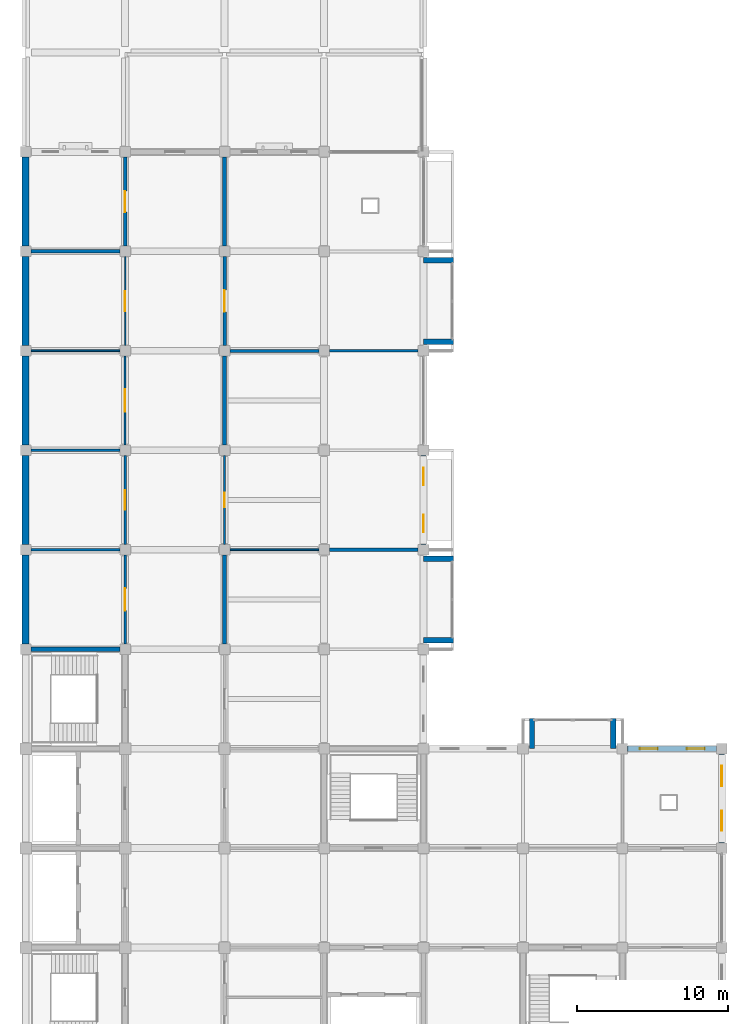
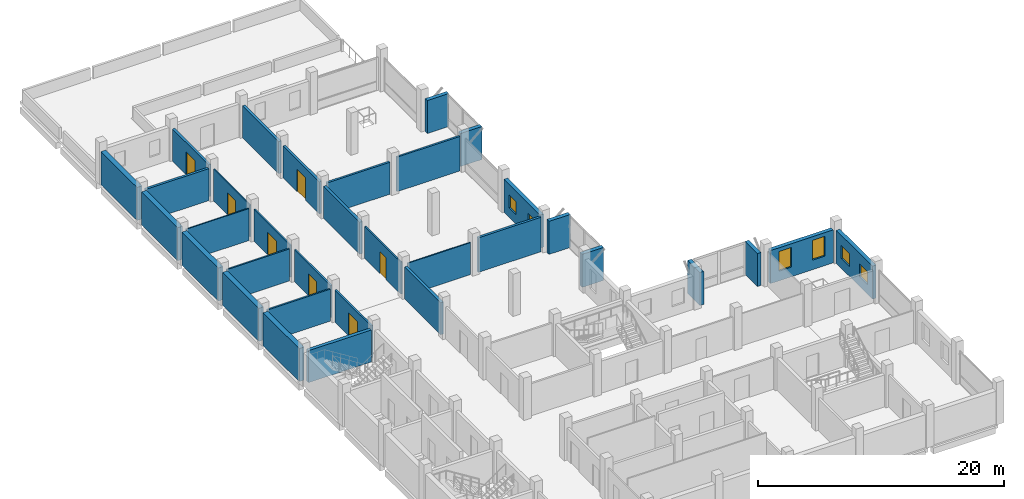
# One storey, part 9 of 13: 33 walls, 7 doors, 6 windows, 13 openings.
"""IFC4 building model written with IfcOpenShell, lengths in metres."""

from ifc_helpers import new_model, si_unit, direction, frame, frame_2d, origin, place, context, subcontext, project, spatial, rectangle, extrude, material, layer, layer_set, type_object, element, fill, save


model = new_model("IFC4")

# Units and contexts
model_context = context("Model", 3, precision=1e-05, world=origin(), true_north=direction((0.0, 1.0)))
body_context = subcontext(model_context, "Body", "Model", "MODEL_VIEW")
ifc_project = project(units=[si_unit("LENGTHUNIT", "METRE"), si_unit("AREAUNIT", "SQUARE_METRE"), si_unit("VOLUMEUNIT", "CUBIC_METRE"), si_unit("PLANEANGLEUNIT", "RADIAN"), si_unit("MASSUNIT", "GRAM", prefix="KILO")], contexts=[model_context])

# Site, building, storey
site_placement = place(None, origin())
site = spatial("IfcSite", under=ifc_project, at=site_placement, CompositionType="ELEMENT")
building_placement = place(site_placement, origin())
building = spatial("IfcBuilding", under=site, at=building_placement, Name="Rusizi Kubbe Research Institute", CompositionType="ELEMENT")
storey_placement = place(building_placement, frame((0.0, 0.0, 35.39990234375)))
storey = spatial("IfcBuildingStorey", under=building, at=storey_placement, Name="L08", CompositionType="ELEMENT", Elevation=35.39990234375)

# Walls
ifc_material_1 = material(Name="Concrete C45/55", Category="concrete")
ifc_layer_1 = layer(ifc_material_1, 0.31494140625)
ifc_layer_set_1 = layer_set([ifc_layer_1], Name="Concrete C45/55")
wall_type_1 = type_object("IfcWallType", Name="CRW-02", PredefinedType="SHEAR", material=ifc_layer_set_1)
wall_1_placement = place(storey_placement, frame((0.35009765625, 33.0, 0.0), z_axis=(0.0, 0.0, 1.0), x_axis=(1.0, 0.0, 0.0)))
element("IfcWall", 1, at=wall_1_placement, inside=storey, type_object=wall_type_1, Name="Stair Core Shear Wall ST2 L08 N", PredefinedType="SHEAR", context=body_context, shape_type="SweptSolid", body=[
    extrude(rectangle(XDim=5.89990234375, YDim=0.31494140625, at=frame_2d((2.949951171875, 0.0))), origin(), (0.0, 0.0, 1.0), 3.18017578125),
])
ifc_material_2 = material(Name="Volcanic Basalt Ashlar Masonry", Category="masonry")
ifc_layer_2 = layer(ifc_material_2, 0.35498046875)
ifc_layer_set_2 = layer_set([ifc_layer_2], Name="Volcanic Basalt Ashlar Masonry")
wall_type_2 = type_object("IfcWallType", Name="EW-06", PredefinedType="SOLIDWALL", material=ifc_layer_set_2)
for number, where, z_axis, x_axis, name in (
    (2, (26.39990234375, 33.60009765625, 0.0), (0.0, 0.0, 1.0), (1.0, 0.0, 0.0), "Cumba Return Wall S L08 (4,5)"),
    (3, (26.39990234375, 39.0, 0.0), (0.0, 0.0, 1.0), (1.0, 0.0, 0.0), "Cumba Return Wall N L08 (4,5)"),
):
    element("IfcWall", number, at=place(storey_placement, frame(where, z_axis=z_axis, x_axis=x_axis)), inside=storey, type_object=wall_type_2, Name=name, PredefinedType="SOLIDWALL", context=body_context, shape_type="SweptSolid", body=[
        extrude(rectangle(XDim=2.0, YDim=0.35498046875, at=frame_2d((1.0, 0.0))), origin(), (0.0, 0.0, 1.0), 3.280029296875),
    ])

# Wall, openings, windows
wall_2_placement = place(storey_placement, frame((26.39990234375, 39.949951171875, 0.0), z_axis=(0.0, 0.0, 1.0), x_axis=(0.0, 1.0, 0.0)))
wall_2 = element("IfcWall", 4, at=wall_2_placement, inside=storey, type_object=wall_type_2, Name="Ablaq Stone Exterior Wall L08 V4-6", PredefinedType="SOLIDWALL", context=body_context, shape_type="SweptSolid", body=[
    extrude(rectangle(XDim=5.900146484375, YDim=0.35498046875, at=frame_2d((2.9501953125, 0.0))), origin(), (0.0, 0.0, 1.0), 3.280029296875),
])
opening_1_placement = place(wall_2_placement, frame((0.800048828125, 0.0, 0.949951171875)))
opening_1 = element("IfcOpeningElement", 5, at=opening_1_placement, cuts=wall_2, Name="Opening WN-09", PredefinedType="OPENING", context=body_context, shape_type="SweptSolid", body=[
    extrude(rectangle(XDim=1.179931640625, YDim=1.300048828125, at=frame_2d((0.58984375, 0.64990234375))), frame((0.0, 0.1875, 0.0), z_axis=(0.0, -1.0, 0.0), x_axis=(1.0, 0.0, 0.0)), (0.0, 0.0, 1.0), 0.375),
])
opening_2_placement = place(wall_2_placement, frame((3.919921875, 0.0, 0.949951171875)))
opening_2 = element("IfcOpeningElement", 6, at=opening_2_placement, cuts=wall_2, Name="Opening WN-09", PredefinedType="OPENING", context=body_context, shape_type="SweptSolid", body=[
    extrude(rectangle(XDim=1.179931640625, YDim=1.300048828125, at=frame_2d((0.58984375, 0.64990234375))), frame((0.0, 0.1875, 0.0), z_axis=(0.0, -1.0, 0.0), x_axis=(1.0, 0.0, 0.0)), (0.0, 0.0, 1.0), 0.375),
])
ifc_material_3 = material(Name="Aluminium Frame and Solar-Control Double Glazing", Category="glass")
window_type_1 = type_object("IfcWindowType", Name="WN-09", PartitioningType="SINGLE_PANEL", PredefinedType="WINDOW", material=ifc_material_3)
window_1_placement = place(opening_1_placement, origin())
window_1 = element("IfcWindow", 7, at=window_1_placement, inside=storey, type_object=window_type_1, Name="Casement Window WN-09 L08", OverallHeight=1.300048828125, OverallWidth=1.179931640625, PartitioningType="SINGLE_PANEL", PredefinedType="WINDOW", context=body_context, shape_type="SweptSolid", body=[
    extrude(rectangle(XDim=1.179931640625, YDim=1.300048828125, at=frame_2d((0.58984375, 0.64990234375))), frame((0.0, 0.030029296875, 0.0), z_axis=(0.0, -1.0, 0.0), x_axis=(1.0, 0.0, 0.0)), (0.0, 0.0, 1.0), 0.06005859375),
])
fill(opening_1, window_1)
window_2_placement = place(opening_2_placement, origin())
window_2 = element("IfcWindow", 8, at=window_2_placement, inside=storey, type_object=window_type_1, Name="Casement Window WN-09 L08", OverallHeight=1.300048828125, OverallWidth=1.179931640625, PartitioningType="SINGLE_PANEL", PredefinedType="WINDOW", context=body_context, shape_type="SweptSolid", body=[
    extrude(rectangle(XDim=1.179931640625, YDim=1.300048828125, at=frame_2d((0.58984375, 0.64990234375))), frame((0.0, 0.030029296875, 0.0), z_axis=(0.0, -1.0, 0.0), x_axis=(1.0, 0.0, 0.0)), (0.0, 0.0, 1.0), 0.06005859375),
])
fill(opening_2, window_2)

# Walls
for number, where, z_axis, x_axis, name in (
    (9, (26.39990234375, 53.39990234375, 0.0), (0.0, 0.0, 1.0), (1.0, 0.0, 0.0), "Cumba Return Wall S L08 (4,8)"),
    (10, (26.39990234375, 58.800048828125, 0.0), (0.0, 0.0, 1.0), (1.0, 0.0, 0.0), "Cumba Return Wall N L08 (4,8)"),
    (11, (33.60009765625, 26.39990234375, 0.0), (0.0, 0.0, 1.0), (0.0, 1.0, 0.0), "Cumba Return Wall W L08 (5,4)"),
    (12, (39.0, 26.39990234375, 0.0), (0.0, 0.0, 1.0), (0.0, 1.0, 0.0), "Cumba Return Wall E L08 (5,4)"),
):
    element("IfcWall", number, at=place(storey_placement, frame(where, z_axis=z_axis, x_axis=x_axis)), inside=storey, type_object=wall_type_2, Name=name, PredefinedType="SOLIDWALL", context=body_context, shape_type="SweptSolid", body=[
        extrude(rectangle(XDim=2.0, YDim=0.35498046875, at=frame_2d((1.0, 0.0))), origin(), (0.0, 0.0, 1.0), 3.280029296875),
    ])

# Wall, openings, windows
wall_3_placement = place(storey_placement, frame((39.949951171875, 26.39990234375, 0.0), z_axis=(0.0, 0.0, 1.0), x_axis=(1.0, 0.0, 0.0)))
wall_3 = element("IfcWall", 13, at=wall_3_placement, inside=storey, type_object=wall_type_2, Name="Ablaq Stone Exterior Wall L08 H6-4", PredefinedType="SOLIDWALL", context=body_context, shape_type="SweptSolid", body=[
    extrude(rectangle(XDim=5.900146484375, YDim=0.35498046875, at=frame_2d((2.9501953125, 0.0))), origin(), (0.0, 0.0, 1.0), 3.280029296875),
])
opening_3_placement = place(wall_3_placement, frame((0.800048828125, 0.0, 0.949951171875)))
opening_3 = element("IfcOpeningElement", 14, at=opening_3_placement, cuts=wall_3, Name="Opening WN-12", PredefinedType="OPENING", context=body_context, shape_type="SweptSolid", body=[
    extrude(rectangle(XDim=1.179931640625, YDim=1.9599609375, at=frame_2d((0.58984375, 0.97998046875))), frame((0.0, 0.1875, 0.0), z_axis=(0.0, -1.0, 0.0), x_axis=(1.0, 0.0, 0.0)), (0.0, 0.0, 1.0), 0.375),
])
opening_4_placement = place(wall_3_placement, frame((3.919921875, 0.0, 0.949951171875)))
opening_4 = element("IfcOpeningElement", 15, at=opening_4_placement, cuts=wall_3, Name="Opening WN-12", PredefinedType="OPENING", context=body_context, shape_type="SweptSolid", body=[
    extrude(rectangle(XDim=1.179931640625, YDim=1.9599609375, at=frame_2d((0.58984375, 0.97998046875))), frame((0.0, 0.1875, 0.0), z_axis=(0.0, -1.0, 0.0), x_axis=(1.0, 0.0, 0.0)), (0.0, 0.0, 1.0), 0.375),
])
ifc_material_4 = material(Name="Aluminium Frame and Solar-Control Double Glazing", Category="glass")
window_type_2 = type_object("IfcWindowType", Name="WN-12", PartitioningType="SINGLE_PANEL", PredefinedType="WINDOW", material=ifc_material_4)
window_3_placement = place(opening_3_placement, origin())
window_3 = element("IfcWindow", 16, at=window_3_placement, inside=storey, type_object=window_type_2, Name="Casement Window WN-12 L08", OverallHeight=1.9599609375, OverallWidth=1.179931640625, PartitioningType="SINGLE_PANEL", PredefinedType="WINDOW", context=body_context, shape_type="SweptSolid", body=[
    extrude(rectangle(XDim=1.179931640625, YDim=1.9599609375, at=frame_2d((0.58984375, 0.97998046875))), frame((0.0, 0.030029296875, 0.0), z_axis=(0.0, -1.0, 0.0), x_axis=(1.0, 0.0, 0.0)), (0.0, 0.0, 1.0), 0.06005859375),
])
fill(opening_3, window_3)
window_4_placement = place(opening_4_placement, origin())
window_4 = element("IfcWindow", 17, at=window_4_placement, inside=storey, type_object=window_type_2, Name="Casement Window WN-12 L08", OverallHeight=1.9599609375, OverallWidth=1.179931640625, PartitioningType="SINGLE_PANEL", PredefinedType="WINDOW", context=body_context, shape_type="SweptSolid", body=[
    extrude(rectangle(XDim=1.179931640625, YDim=1.9599609375, at=frame_2d((0.58984375, 0.97998046875))), frame((0.0, 0.030029296875, 0.0), z_axis=(0.0, -1.0, 0.0), x_axis=(1.0, 0.0, 0.0)), (0.0, 0.0, 1.0), 0.06005859375),
])
fill(opening_4, window_4)

wall_4_placement = place(storey_placement, frame((46.199951171875, 20.14990234375, 0.0), z_axis=(0.0, 0.0, 1.0), x_axis=(0.0, 1.0, 0.0)))
wall_4 = element("IfcWall", 18, at=wall_4_placement, inside=storey, type_object=wall_type_2, Name="Ablaq Stone Exterior Wall L08 V7-3", PredefinedType="SOLIDWALL", context=body_context, shape_type="SweptSolid", body=[
    extrude(rectangle(XDim=5.900146484375, YDim=0.35498046875, at=frame_2d((2.9501953125, 0.0))), origin(), (0.0, 0.0, 1.0), 3.280029296875),
])
opening_5_placement = place(wall_4_placement, frame((0.800048828125, 0.0, 0.949951171875)))
opening_5 = element("IfcOpeningElement", 19, at=opening_5_placement, cuts=wall_4, Name="Opening WN-13", PredefinedType="OPENING", context=body_context, shape_type="SweptSolid", body=[
    extrude(rectangle(XDim=1.340087890625, YDim=1.300048828125, at=frame_2d((0.669921875, 0.64990234375))), frame((0.0, 0.1875, 0.0), z_axis=(0.0, -1.0, 0.0), x_axis=(1.0, 0.0, 0.0)), (0.0, 0.0, 1.0), 0.375),
])
opening_6_placement = place(wall_4_placement, frame((3.760009765625, 0.0, 0.949951171875)))
opening_6 = element("IfcOpeningElement", 20, at=opening_6_placement, cuts=wall_4, Name="Opening WN-13", PredefinedType="OPENING", context=body_context, shape_type="SweptSolid", body=[
    extrude(rectangle(XDim=1.340087890625, YDim=1.300048828125, at=frame_2d((0.669921875, 0.64990234375))), frame((0.0, 0.1875, 0.0), z_axis=(0.0, -1.0, 0.0), x_axis=(1.0, 0.0, 0.0)), (0.0, 0.0, 1.0), 0.375),
])
ifc_material_5 = material(Name="Aluminium Frame and Solar-Control Double Glazing", Category="glass")
window_type_3 = type_object("IfcWindowType", Name="WN-13", PartitioningType="SINGLE_PANEL", PredefinedType="WINDOW", material=ifc_material_5)
window_5_placement = place(opening_5_placement, origin())
window_5 = element("IfcWindow", 21, at=window_5_placement, inside=storey, type_object=window_type_3, Name="Casement Window WN-13 L08", OverallHeight=1.300048828125, OverallWidth=1.340087890625, PartitioningType="SINGLE_PANEL", PredefinedType="WINDOW", context=body_context, shape_type="SweptSolid", body=[
    extrude(rectangle(XDim=1.340087890625, YDim=1.300048828125, at=frame_2d((0.669921875, 0.64990234375))), frame((0.0, 0.030029296875, 0.0), z_axis=(0.0, -1.0, 0.0), x_axis=(1.0, 0.0, 0.0)), (0.0, 0.0, 1.0), 0.06005859375),
])
fill(opening_5, window_5)
window_6_placement = place(opening_6_placement, origin())
window_6 = element("IfcWindow", 22, at=window_6_placement, inside=storey, type_object=window_type_3, Name="Casement Window WN-13 L08", OverallHeight=1.300048828125, OverallWidth=1.340087890625, PartitioningType="SINGLE_PANEL", PredefinedType="WINDOW", context=body_context, shape_type="SweptSolid", body=[
    extrude(rectangle(XDim=1.340087890625, YDim=1.300048828125, at=frame_2d((0.669921875, 0.64990234375))), frame((0.0, 0.030029296875, 0.0), z_axis=(0.0, -1.0, 0.0), x_axis=(1.0, 0.0, 0.0)), (0.0, 0.0, 1.0), 0.06005859375),
])
fill(opening_6, window_6)

# Wall
ifc_material_6 = material(Name="Concrete Blockwork Fire Partition", Category="masonry")
ifc_layer_3 = layer(ifc_material_6, 0.22509765625)
ifc_layer_set_3 = layer_set([ifc_layer_3], Name="Concrete Blockwork Fire Partition")
wall_type_3 = type_object("IfcWallType", Name="IW-01", PredefinedType="PARTITIONING", material=ifc_layer_set_3)
wall_5_placement = place(storey_placement, frame((0.35009765625, 59.39990234375, 0.0), z_axis=(0.0, 0.0, 1.0), x_axis=(1.0, 0.0, 0.0)))
element("IfcWall", 23, at=wall_5_placement, inside=storey, type_object=wall_type_3, Name="Interior Partition Wall L08 H0-9", PredefinedType="PARTITIONING", context=body_context, shape_type="SweptSolid", body=[
    extrude(rectangle(XDim=5.89990234375, YDim=0.22509765625, at=frame_2d((2.949951171875, 0.0))), origin(), (0.0, 0.0, 1.0), 3.18017578125),
])

# Wall, opening, door
wall_6_placement = place(storey_placement, frame((6.60009765625, 59.75, 0.0), z_axis=(0.0, 0.0, 1.0), x_axis=(0.0, 1.0, 0.0)))
wall_6 = element("IfcWall", 24, at=wall_6_placement, inside=storey, type_object=wall_type_3, Name="Interior Partition Wall L08 V1-9", PredefinedType="PARTITIONING", context=body_context, shape_type="SweptSolid", body=[
    extrude(rectangle(XDim=5.89990234375, YDim=0.22509765625, at=frame_2d((2.949951171875, 0.0))), origin(), (0.0, 0.0, 1.0), 3.18017578125),
])
opening_7_placement = place(wall_6_placement, frame((2.25, 0.0, 0.0)))
opening_7 = element("IfcOpeningElement", 25, at=opening_7_placement, cuts=wall_6, Name="Opening D-12", PredefinedType="OPENING", context=body_context, shape_type="SweptSolid", body=[
    extrude(rectangle(XDim=1.39990234375, YDim=2.25, at=frame_2d((0.699951171875, 1.125))), frame((0.0, 0.12255859375, 0.0), z_axis=(0.0, -1.0, 0.0), x_axis=(1.0, 0.0, 0.0)), (0.0, 0.0, 1.0), 0.2451171875),
])
ifc_material_7 = material(Name="Fire-Rated Steel Frame and Acoustic Timber Leaf", Category="wood")
door_type_1 = type_object("IfcDoorType", Name="ID-LAB-140", OperationType="NOTDEFINED", PredefinedType="DOOR", material=ifc_material_7)
door_1_placement = place(opening_7_placement, origin())
door_1 = element("IfcDoor", 26, at=door_1_placement, inside=storey, type_object=door_type_1, Name="Door to Clean Room Metrology Laboratory (L08-WSP-09)", OperationType="SINGLE_SWING_RIGHT", OverallHeight=2.25, OverallWidth=1.39990234375, PredefinedType="DOOR", context=body_context, shape_type="SweptSolid", body=[
    extrude(rectangle(XDim=1.39990234375, YDim=2.25, at=frame_2d((0.699951171875, 1.125))), frame((0.0, 0.02490234375, 0.0), z_axis=(0.0, -1.0, 0.0), x_axis=(1.0, 0.0, 0.0)), (0.0, 0.0, 1.0), 0.050048828125),
])
fill(opening_7, door_1)

wall_7_placement = place(storey_placement, frame((13.199951171875, 53.14990234375, 0.0), z_axis=(0.0, 0.0, 1.0), x_axis=(0.0, 1.0, 0.0)))
wall_7 = element("IfcWall", 27, at=wall_7_placement, inside=storey, type_object=wall_type_3, Name="Interior Partition Wall L08 V2-8", PredefinedType="PARTITIONING", context=body_context, shape_type="SweptSolid", body=[
    extrude(rectangle(XDim=5.900146484375, YDim=0.22509765625, at=frame_2d((2.9501953125, 0.0))), origin(), (0.0, 0.0, 1.0), 3.18017578125),
])
opening_8_placement = place(wall_7_placement, frame((2.22509765625, 0.0, 0.0)))
opening_8 = element("IfcOpeningElement", 28, at=opening_8_placement, cuts=wall_7, Name="Opening D-11", PredefinedType="OPENING", context=body_context, shape_type="SweptSolid", body=[
    extrude(rectangle(XDim=1.449951171875, YDim=2.25, at=frame_2d((0.72509765625, 1.125))), frame((0.0, 0.12255859375, 0.0), z_axis=(0.0, -1.0, 0.0), x_axis=(1.0, 0.0, 0.0)), (0.0, 0.0, 1.0), 0.2451171875),
])
ifc_material_8 = material(Name="Fire-Rated Steel Frame and Acoustic Timber Leaf", Category="wood")
door_type_2 = type_object("IfcDoorType", Name="ID-LAB-145", OperationType="NOTDEFINED", PredefinedType="DOOR", material=ifc_material_8)
door_2_placement = place(opening_8_placement, origin())
door_2 = element("IfcDoor", 29, at=door_2_placement, inside=storey, type_object=door_type_2, Name="Door to Bioscience Wet Laboratory (L08-NW-04)", OperationType="SINGLE_SWING_LEFT", OverallHeight=2.25, OverallWidth=1.449951171875, PredefinedType="DOOR", context=body_context, shape_type="SweptSolid", body=[
    extrude(rectangle(XDim=1.449951171875, YDim=2.25, at=frame_2d((0.72509765625, 1.125))), frame((0.0, 0.02490234375, 0.0), z_axis=(0.0, -1.0, 0.0), x_axis=(1.0, 0.0, 0.0)), (0.0, 0.0, 1.0), 0.050048828125),
])
fill(opening_8, door_2)

# Walls
wall_8_placement = place(storey_placement, frame((20.14990234375, 39.60009765625, 0.0), z_axis=(0.0, 0.0, 1.0), x_axis=(1.0, 0.0, 0.0)))
element("IfcWall", 30, at=wall_8_placement, inside=storey, type_object=wall_type_3, Name="Interior Partition Wall L08 H3-6", PredefinedType="PARTITIONING", context=body_context, shape_type="SweptSolid", body=[
    extrude(rectangle(XDim=5.900146484375, YDim=0.22509765625, at=frame_2d((2.9501953125, 0.0))), origin(), (0.0, 0.0, 1.0), 3.43017578125),
])
ifc_material_9 = material(Name="Insulated Cleanroom Partition", Category="masonry")
ifc_layer_4 = layer(ifc_material_9, 0.195068359375)
ifc_layer_set_4 = layer_set([ifc_layer_4], Name="Insulated Cleanroom Partition")
wall_type_4 = type_object("IfcWallType", Name="IW-02", PredefinedType="PARTITIONING", material=ifc_layer_set_4)
wall_9_placement = place(storey_placement, frame((13.550048828125, 52.800048828125, 0.0), z_axis=(0.0, 0.0, 1.0), x_axis=(1.0, 0.0, 0.0)))
element("IfcWall", 31, at=wall_9_placement, inside=storey, type_object=wall_type_4, Name="Interior Partition Wall L08 H2-8", PredefinedType="PARTITIONING", context=body_context, shape_type="SweptSolid", body=[
    extrude(rectangle(XDim=5.89990234375, YDim=0.195068359375, at=frame_2d((2.949951171875, 0.0))), origin(), (0.0, 0.0, 1.0), 3.18017578125),
])

# Wall, opening, door
ifc_material_10 = material(Name="Acoustic Laboratory Partition", Category="masonry")
ifc_layer_5 = layer(ifc_material_10, 0.175048828125)
ifc_layer_set_5 = layer_set([ifc_layer_5], Name="Acoustic Laboratory Partition")
wall_type_5 = type_object("IfcWallType", Name="IW-03", PredefinedType="PARTITIONING", material=ifc_layer_set_5)
wall_10_placement = place(storey_placement, frame((6.60009765625, 33.35009765625, 0.0), z_axis=(0.0, 0.0, 1.0), x_axis=(0.0, 1.0, 0.0)))
wall_10 = element("IfcWall", 32, at=wall_10_placement, inside=storey, type_object=wall_type_5, Name="Interior Partition Wall L08 V1-5", PredefinedType="PARTITIONING", context=body_context, shape_type="SweptSolid", body=[
    extrude(rectangle(XDim=5.89990234375, YDim=0.175048828125, at=frame_2d((2.949951171875, 0.0))), origin(), (0.0, 0.0, 1.0), 3.18017578125),
])
opening_9_placement = place(wall_10_placement, frame((2.2099609375, 0.0, 0.0)))
opening_9 = element("IfcOpeningElement", 33, at=opening_9_placement, cuts=wall_10, Name="Opening LD-08", PredefinedType="OPENING", context=body_context, shape_type="SweptSolid", body=[
    extrude(rectangle(XDim=1.47998046875, YDim=2.25, at=frame_2d((0.739990234375, 1.125))), frame((0.0, 0.097412109375, 0.0), z_axis=(0.0, -1.0, 0.0), x_axis=(1.0, 0.0, 0.0)), (0.0, 0.0, 1.0), 0.195068359375),
])
ifc_material_11 = material(Name="Brushed Stainless Steel Sliding Door", Category="steel")
door_type_3 = type_object("IfcDoorType", Name="LD-08", OperationType="DOUBLE_DOOR_SLIDING", PredefinedType="USERDEFINED", material=ifc_material_11)
door_3_placement = place(opening_9_placement, origin())
door_3 = element("IfcDoor", 34, at=door_3_placement, inside=storey, type_object=door_type_3, Name="Door to Clean Room Gowning Airlock (L08-ALK-05)", ObjectType="SLIDING DOOR", OperationType="DOUBLE_DOOR_SLIDING", OverallHeight=2.25, OverallWidth=1.47998046875, PredefinedType="USERDEFINED", context=body_context, shape_type="SweptSolid", body=[
    extrude(rectangle(XDim=1.47998046875, YDim=2.25, at=frame_2d((0.739990234375, 1.125))), frame((0.0, 0.02490234375, 0.0), z_axis=(0.0, -1.0, 0.0), x_axis=(1.0, 0.0, 0.0)), (0.0, 0.0, 1.0), 0.050048828125),
])
fill(opening_9, door_3)

# Walls
wall_11_placement = place(storey_placement, frame((20.14990234375, 52.800048828125, 0.0), z_axis=(0.0, 0.0, 1.0), x_axis=(1.0, 0.0, 0.0)))
element("IfcWall", 35, at=wall_11_placement, inside=storey, type_object=wall_type_5, Name="Interior Partition Wall L08 H3-8", PredefinedType="PARTITIONING", context=body_context, shape_type="SweptSolid", body=[
    extrude(rectangle(XDim=5.900146484375, YDim=0.175048828125, at=frame_2d((2.9501953125, 0.0))), origin(), (0.0, 0.0, 1.0), 3.43017578125),
])
ifc_material_12 = material(Name="Fire-Rated Corridor Partition", Category="masonry")
ifc_layer_6 = layer(ifc_material_12, 0.155029296875)
ifc_layer_set_6 = layer_set([ifc_layer_6], Name="Fire-Rated Corridor Partition")
wall_type_6 = type_object("IfcWallType", Name="IW-04", PredefinedType="PARTITIONING", material=ifc_layer_set_6)
wall_12_placement = place(storey_placement, frame((0.35009765625, 39.60009765625, 0.0), z_axis=(0.0, 0.0, 1.0), x_axis=(1.0, 0.0, 0.0)))
element("IfcWall", 36, at=wall_12_placement, inside=storey, type_object=wall_type_6, Name="Interior Partition Wall L08 H0-6", PredefinedType="PARTITIONING", context=body_context, shape_type="SweptSolid", body=[
    extrude(rectangle(XDim=5.89990234375, YDim=0.155029296875, at=frame_2d((2.949951171875, 0.0))), origin(), (0.0, 0.0, 1.0), 3.18017578125),
])

# Wall, opening, door
wall_13_placement = place(storey_placement, frame((6.60009765625, 39.949951171875, 0.0), z_axis=(0.0, 0.0, 1.0), x_axis=(0.0, 1.0, 0.0)))
wall_13 = element("IfcWall", 37, at=wall_13_placement, inside=storey, type_object=wall_type_6, Name="Interior Partition Wall L08 V1-6", PredefinedType="PARTITIONING", context=body_context, shape_type="SweptSolid", body=[
    extrude(rectangle(XDim=5.900146484375, YDim=0.155029296875, at=frame_2d((2.9501953125, 0.0))), origin(), (0.0, 0.0, 1.0), 3.18017578125),
])
opening_10_placement = place(wall_13_placement, frame((2.2900390625, 0.0, 0.0)))
opening_10 = element("IfcOpeningElement", 38, at=opening_10_placement, cuts=wall_13, Name="Opening LD-07", PredefinedType="OPENING", context=body_context, shape_type="SweptSolid", body=[
    extrude(rectangle(XDim=1.320068359375, YDim=2.199951171875, at=frame_2d((0.66015625, 1.10009765625))), frame((0.0, 0.08740234375, 0.0), z_axis=(0.0, -1.0, 0.0), x_axis=(1.0, 0.0, 0.0)), (0.0, 0.0, 1.0), 0.175048828125),
])
ifc_material_13 = material(Name="Brushed Stainless Steel Sliding Door", Category="steel")
door_type_4 = type_object("IfcDoorType", Name="LD-07", OperationType="DOUBLE_DOOR_SLIDING", PredefinedType="USERDEFINED", material=ifc_material_13)
door_4_placement = place(opening_10_placement, origin())
door_4 = element("IfcDoor", 39, at=door_4_placement, inside=storey, type_object=door_type_4, Name="Door to ISO-6 Clean Room Suite (L08-CR-06)", ObjectType="SLIDING DOOR", OperationType="DOUBLE_DOOR_SLIDING", OverallHeight=2.199951171875, OverallWidth=1.320068359375, PredefinedType="USERDEFINED", context=body_context, shape_type="SweptSolid", body=[
    extrude(rectangle(XDim=1.320068359375, YDim=2.199951171875, at=frame_2d((0.66015625, 1.10009765625))), frame((0.0, 0.02490234375, 0.0), z_axis=(0.0, -1.0, 0.0), x_axis=(1.0, 0.0, 0.0)), (0.0, 0.0, 1.0), 0.050048828125),
])
fill(opening_10, door_4)

# Wall
ifc_material_14 = material(Name="Write-up Glazed Acoustic Partition", Category="masonry")
ifc_layer_7 = layer(ifc_material_14, 0.139892578125)
ifc_layer_set_7 = layer_set([ifc_layer_7], Name="Write-up Glazed Acoustic Partition")
wall_type_7 = type_object("IfcWallType", Name="IW-05", PredefinedType="PARTITIONING", material=ifc_layer_set_7)
wall_14_placement = place(storey_placement, frame((0.35009765625, 46.199951171875, 0.0), z_axis=(0.0, 0.0, 1.0), x_axis=(1.0, 0.0, 0.0)))
element("IfcWall", 40, at=wall_14_placement, inside=storey, type_object=wall_type_7, Name="Interior Partition Wall L08 H0-7", PredefinedType="PARTITIONING", context=body_context, shape_type="SweptSolid", body=[
    extrude(rectangle(XDim=5.89990234375, YDim=0.139892578125, at=frame_2d((2.949951171875, 0.0))), origin(), (0.0, 0.0, 1.0), 3.18017578125),
])

# Wall, opening, door
wall_15_placement = place(storey_placement, frame((6.60009765625, 46.550048828125, 0.0), z_axis=(0.0, 0.0, 1.0), x_axis=(0.0, 1.0, 0.0)))
wall_15 = element("IfcWall", 41, at=wall_15_placement, inside=storey, type_object=wall_type_7, Name="Interior Partition Wall L08 V1-7", PredefinedType="PARTITIONING", context=body_context, shape_type="SweptSolid", body=[
    extrude(rectangle(XDim=5.89990234375, YDim=0.139892578125, at=frame_2d((2.949951171875, 0.0))), origin(), (0.0, 0.0, 1.0), 3.18017578125),
])
opening_11_placement = place(wall_15_placement, frame((2.2099609375, 0.0, 0.0)))
opening_11 = element("IfcOpeningElement", 42, at=opening_11_placement, cuts=wall_15, Name="Opening LD-08", PredefinedType="OPENING", context=body_context, shape_type="SweptSolid", body=[
    extrude(rectangle(XDim=1.47998046875, YDim=2.25, at=frame_2d((0.739990234375, 1.125))), frame((0.0, 0.079833984375, 0.0), z_axis=(0.0, -1.0, 0.0), x_axis=(1.0, 0.0, 0.0)), (0.0, 0.0, 1.0), 0.159912109375),
])
door_5_placement = place(opening_11_placement, origin())
door_5 = element("IfcDoor", 43, at=door_5_placement, inside=storey, type_object=door_type_3, Name="Door to Clean Room Gowning Airlock (L08-ALK-07)", ObjectType="SLIDING DOOR", OperationType="DOUBLE_DOOR_SLIDING", OverallHeight=2.25, OverallWidth=1.47998046875, PredefinedType="USERDEFINED", context=body_context, shape_type="SweptSolid", body=[
    extrude(rectangle(XDim=1.47998046875, YDim=2.25, at=frame_2d((0.739990234375, 1.125))), frame((0.0, 0.02490234375, 0.0), z_axis=(0.0, -1.0, 0.0), x_axis=(1.0, 0.0, 0.0)), (0.0, 0.0, 1.0), 0.050048828125),
])
fill(opening_11, door_5)

wall_16_placement = place(storey_placement, frame((13.199951171875, 39.949951171875, 0.0), z_axis=(0.0, 0.0, 1.0), x_axis=(0.0, 1.0, 0.0)))
wall_16 = element("IfcWall", 44, at=wall_16_placement, inside=storey, type_object=wall_type_7, Name="Interior Partition Wall L08 V2-6", PredefinedType="PARTITIONING", context=body_context, shape_type="SweptSolid", body=[
    extrude(rectangle(XDim=5.900146484375, YDim=0.139892578125, at=frame_2d((2.9501953125, 0.0))), origin(), (0.0, 0.0, 1.0), 3.18017578125),
])
opening_12_placement = place(wall_16_placement, frame((2.4599609375, 0.0, 0.0)))
opening_12 = element("IfcOpeningElement", 45, at=opening_12_placement, cuts=wall_16, Name="Opening D-20", PredefinedType="OPENING", context=body_context, shape_type="SweptSolid", body=[
    extrude(rectangle(XDim=0.97998046875, YDim=2.14990234375, at=frame_2d((0.489990234375, 1.074951171875))), frame((0.0, 0.079833984375, 0.0), z_axis=(0.0, -1.0, 0.0), x_axis=(1.0, 0.0, 0.0)), (0.0, 0.0, 1.0), 0.159912109375),
])
ifc_material_15 = material(Name="Fire-Rated Steel Frame and Acoustic Timber Leaf", Category="wood")
door_type_5 = type_object("IfcDoorType", Name="ID-OFF-980", OperationType="NOTDEFINED", PredefinedType="DOOR", material=ifc_material_15)
door_6_placement = place(opening_12_placement, origin())
door_6 = element("IfcDoor", 46, at=door_6_placement, inside=storey, type_object=door_type_5, Name="Door to Write-up Office (L08-NW-03)", OperationType="SINGLE_SWING_LEFT", OverallHeight=2.14990234375, OverallWidth=0.97998046875, PredefinedType="DOOR", context=body_context, shape_type="SweptSolid", body=[
    extrude(rectangle(XDim=0.97998046875, YDim=2.14990234375, at=frame_2d((0.489990234375, 1.074951171875))), frame((0.0, 0.02490234375, 0.0), z_axis=(0.0, -1.0, 0.0), x_axis=(1.0, 0.0, 0.0)), (0.0, 0.0, 1.0), 0.050048828125),
])
fill(opening_12, door_6)

# Wall
ifc_material_16 = material(Name="Sub-Suite Fire Partition", Category="masonry")
ifc_layer_8 = layer(ifc_material_16, 0.110107421875)
ifc_layer_set_8 = layer_set([ifc_layer_8], Name="Sub-Suite Fire Partition")
wall_type_8 = type_object("IfcWallType", Name="IW-07", PredefinedType="PARTITIONING", material=ifc_layer_set_8)
wall_17_placement = place(storey_placement, frame((0.35009765625, 52.800048828125, 0.0), z_axis=(0.0, 0.0, 1.0), x_axis=(1.0, 0.0, 0.0)))
element("IfcWall", 47, at=wall_17_placement, inside=storey, type_object=wall_type_8, Name="Interior Partition Wall L08 H0-8", PredefinedType="PARTITIONING", context=body_context, shape_type="SweptSolid", body=[
    extrude(rectangle(XDim=5.89990234375, YDim=0.110107421875, at=frame_2d((2.949951171875, 0.0))), origin(), (0.0, 0.0, 1.0), 3.18017578125),
])

# Wall, opening, door
wall_18_placement = place(storey_placement, frame((6.60009765625, 53.14990234375, 0.0), z_axis=(0.0, 0.0, 1.0), x_axis=(0.0, 1.0, 0.0)))
wall_18 = element("IfcWall", 48, at=wall_18_placement, inside=storey, type_object=wall_type_8, Name="Interior Partition Wall L08 V1-8", PredefinedType="PARTITIONING", context=body_context, shape_type="SweptSolid", body=[
    extrude(rectangle(XDim=5.900146484375, YDim=0.110107421875, at=frame_2d((2.9501953125, 0.0))), origin(), (0.0, 0.0, 1.0), 3.18017578125),
])
opening_13_placement = place(wall_18_placement, frame((2.2900390625, 0.0, 0.0)))
opening_13 = element("IfcOpeningElement", 49, at=opening_13_placement, cuts=wall_18, Name="Opening LD-07", PredefinedType="OPENING", context=body_context, shape_type="SweptSolid", body=[
    extrude(rectangle(XDim=1.320068359375, YDim=2.199951171875, at=frame_2d((0.66015625, 1.10009765625))), frame((0.0, 0.06494140625, 0.0), z_axis=(0.0, -1.0, 0.0), x_axis=(1.0, 0.0, 0.0)), (0.0, 0.0, 1.0), 0.130126953125),
])
door_7_placement = place(opening_13_placement, origin())
door_7 = element("IfcDoor", 50, at=door_7_placement, inside=storey, type_object=door_type_4, Name="Door to ISO-6 Clean Room Suite (L08-CR-08)", ObjectType="SLIDING DOOR", OperationType="DOUBLE_DOOR_SLIDING", OverallHeight=2.199951171875, OverallWidth=1.320068359375, PredefinedType="USERDEFINED", context=body_context, shape_type="SweptSolid", body=[
    extrude(rectangle(XDim=1.320068359375, YDim=2.199951171875, at=frame_2d((0.66015625, 1.10009765625))), frame((0.0, 0.02490234375, 0.0), z_axis=(0.0, -1.0, 0.0), x_axis=(1.0, 0.0, 0.0)), (0.0, 0.0, 1.0), 0.050048828125),
])
fill(opening_13, door_7)

# Walls
wall_19_placement = place(storey_placement, frame((13.550048828125, 39.60009765625, 0.0), z_axis=(0.0, 0.0, 1.0), x_axis=(1.0, 0.0, 0.0)))
element("IfcWall", 51, at=wall_19_placement, inside=storey, type_object=wall_type_8, Name="Interior Partition Wall L08 H2-6", PredefinedType="PARTITIONING", context=body_context, shape_type="SweptSolid", body=[
    extrude(rectangle(XDim=5.89990234375, YDim=0.110107421875, at=frame_2d((2.949951171875, 0.0))), origin(), (0.0, 0.0, 1.0), 3.18017578125),
])
ifc_material_17 = material(Name="Concrete C40/50", Category="concrete")
ifc_layer_9 = layer(ifc_material_17, 0.4599609375)
ifc_layer_set_9 = layer_set([ifc_layer_9], Name="Concrete C40/50")
wall_type_9 = type_object("IfcWallType", Name="PW-02", PredefinedType="SOLIDWALL", material=ifc_layer_set_9)
wall_20_placement = place(storey_placement, frame((0.0, 33.35009765625, 0.0), z_axis=(0.0, 0.0, 1.0), x_axis=(0.0, 1.0, 0.0)))
element("IfcWall", 52, at=wall_20_placement, inside=storey, type_object=wall_type_9, Name="Blind Party Wall L08 V0-5", PredefinedType="SOLIDWALL", context=body_context, shape_type="SweptSolid", body=[
    extrude(rectangle(XDim=5.89990234375, YDim=0.4599609375, at=frame_2d((2.949951171875, 0.0))), origin(), (0.0, 0.0, 1.0), 3.280029296875),
])
wall_21_placement = place(storey_placement, frame((0.0, 39.949951171875, 0.0), z_axis=(0.0, 0.0, 1.0), x_axis=(0.0, 1.0, 0.0)))
element("IfcWall", 53, at=wall_21_placement, inside=storey, type_object=wall_type_9, Name="Blind Party Wall L08 V0-6", PredefinedType="SOLIDWALL", context=body_context, shape_type="SweptSolid", body=[
    extrude(rectangle(XDim=5.900146484375, YDim=0.4599609375, at=frame_2d((2.9501953125, 0.0))), origin(), (0.0, 0.0, 1.0), 3.280029296875),
])
wall_22_placement = place(storey_placement, frame((0.0, 46.550048828125, 0.0), z_axis=(0.0, 0.0, 1.0), x_axis=(0.0, 1.0, 0.0)))
element("IfcWall", 54, at=wall_22_placement, inside=storey, type_object=wall_type_9, Name="Blind Party Wall L08 V0-7", PredefinedType="SOLIDWALL", context=body_context, shape_type="SweptSolid", body=[
    extrude(rectangle(XDim=5.89990234375, YDim=0.4599609375, at=frame_2d((2.949951171875, 0.0))), origin(), (0.0, 0.0, 1.0), 3.280029296875),
])
wall_23_placement = place(storey_placement, frame((0.0, 53.14990234375, 0.0), z_axis=(0.0, 0.0, 1.0), x_axis=(0.0, 1.0, 0.0)))
element("IfcWall", 55, at=wall_23_placement, inside=storey, type_object=wall_type_9, Name="Blind Party Wall L08 V0-8", PredefinedType="SOLIDWALL", context=body_context, shape_type="SweptSolid", body=[
    extrude(rectangle(XDim=5.900146484375, YDim=0.4599609375, at=frame_2d((2.9501953125, 0.0))), origin(), (0.0, 0.0, 1.0), 3.280029296875),
])
wall_24_placement = place(storey_placement, frame((0.0, 59.75, 0.0), z_axis=(0.0, 0.0, 1.0), x_axis=(0.0, 1.0, 0.0)))
element("IfcWall", 56, at=wall_24_placement, inside=storey, type_object=wall_type_9, Name="Blind Party Wall L08 V0-9", PredefinedType="SOLIDWALL", context=body_context, shape_type="SweptSolid", body=[
    extrude(rectangle(XDim=5.89990234375, YDim=0.4599609375, at=frame_2d((2.949951171875, 0.0))), origin(), (0.0, 0.0, 1.0), 3.280029296875),
])
ifc_material_18 = material(Name="Concrete C40/50", Category="concrete")
ifc_layer_10 = layer(ifc_material_18, 0.2548828125)
ifc_layer_set_10 = layer_set([ifc_layer_10], Name="Concrete C40/50")
wall_type_10 = type_object("IfcWallType", Name="SHW-02", PredefinedType="SHEAR", material=ifc_layer_set_10)
for number, where, z_axis, x_axis, name in (
    (57, (13.199951171875, 33.35009765625, 0.0), (0.0, 0.0, 1.0), (0.0, 1.0, 0.0), "Interior Partition Wall L08 V2-5"),
    (58, (13.199951171875, 46.550048828125, 0.0), (0.0, 0.0, 1.0), (0.0, 1.0, 0.0), "Interior Partition Wall L08 V2-7"),
    (59, (13.199951171875, 59.75, 0.0), (0.0, 0.0, 1.0), (0.0, 1.0, 0.0), "Interior Partition Wall L08 V2-9"),
):
    element("IfcWall", number, at=place(storey_placement, frame(where, z_axis=z_axis, x_axis=x_axis)), inside=storey, type_object=wall_type_10, Name=name, PredefinedType="SHEAR", context=body_context, shape_type="SweptSolid", body=[
        extrude(rectangle(XDim=5.89990234375, YDim=0.2548828125, at=frame_2d((2.949951171875, 0.0))), origin(), (0.0, 0.0, 1.0), 3.18017578125),
    ])

save(model, "model.ifc")
